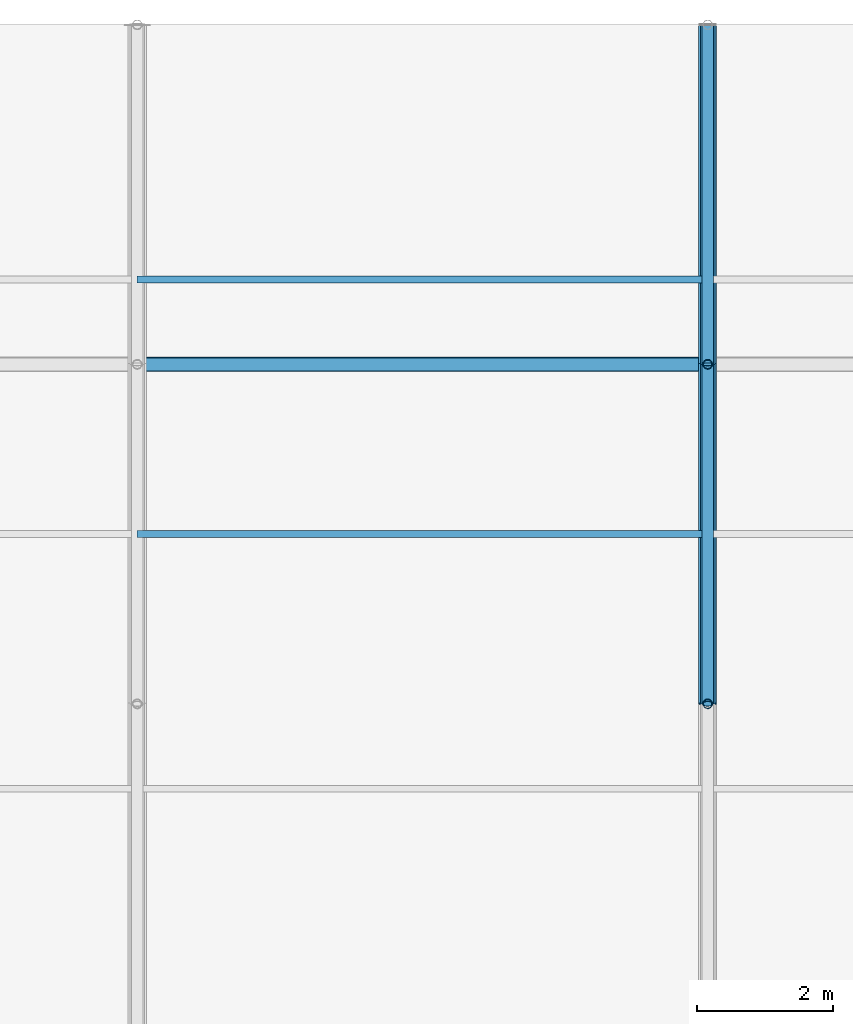
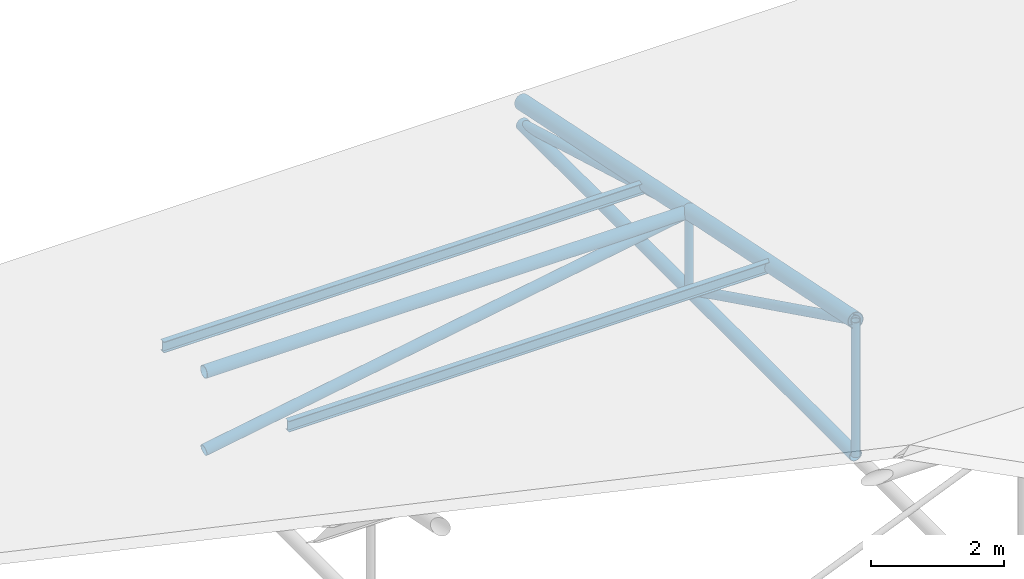
# One storey, part 17 of 194: 10 members, 2 beams.
"""IFC4 building model written with IfcOpenShell, lengths in metres."""

from ifc_helpers import new_model, si_unit, direction, frame, origin, origin_2d, place, context, subcontext, project, spatial, hollow_circle, i_section, extrude, material, material_profile, profile_set, type_object, element, save


model = new_model("IFC4")

# Units and contexts
model_context = context("Model", 3, precision=1e-05, world=origin(), true_north=direction((0.0, 1.0)))
body_context = subcontext(model_context, "Body", "Model", "MODEL_VIEW")
ifc_project = project(units=[si_unit("LENGTHUNIT", "METRE"), si_unit("AREAUNIT", "SQUARE_METRE"), si_unit("VOLUMEUNIT", "CUBIC_METRE"), si_unit("PLANEANGLEUNIT", "RADIAN"), si_unit("MASSUNIT", "GRAM", prefix="KILO")], contexts=[model_context])

# Site, building, storey
site_placement = place(None, origin())
site = spatial("IfcSite", under=ifc_project, at=site_placement, CompositionType="ELEMENT")
building_placement = place(site_placement, origin())
building = spatial("IfcBuilding", under=site, at=building_placement, Name="Kazenagashi Tramway Depot", CompositionType="ELEMENT")
storey_placement = place(building_placement, frame((0.0, 0.0, 23.7)))
storey = spatial("IfcBuildingStorey", under=building, at=storey_placement, Name="ROOF", CompositionType="ELEMENT", Elevation=23.7)

# Beams
ifc_material_1 = material(Name="Steel SN400B", Category="steel")
ifc_material_profile_1 = material_profile(ifc_material_1, i_section(OverallWidth=0.1, OverallDepth=0.2, WebThickness=0.0055, FlangeThickness=0.008, at=origin_2d()), Name="H-200x100x5.5x8")
ifc_profile_set_1 = profile_set([ifc_material_profile_1], Name="Steel SN400B")
beam_type = type_object("IfcBeamType", Name="PR-01", PredefinedType="USERDEFINED", material=ifc_profile_set_1)
for number, where, z_axis, x_axis, name in (
    (1, (53.2, 122.5, -12.13), (1.0, 0.0, 0.0), (0.0, 1.0, 0.0), "Beam PR-01 BM-2199"),
    (2, (53.2, 126.25, -12.955), (1.0, 0.0, 0.0), (0.0, 1.0, 0.0), "Beam PR-01 BM-2217"),
):
    element("IfcBeam", number, at=place(storey_placement, frame(where, z_axis=z_axis, x_axis=x_axis)), inside=storey, type_object=beam_type, Name=name, ObjectType="PURLIN", PredefinedType="USERDEFINED", context=body_context, shape_type="SweptSolid", body=[
        extrude(i_section(OverallWidth=0.1, OverallDepth=0.2, WebThickness=0.0055, FlangeThickness=0.008, at=origin_2d()), origin(), (0.0, 0.0, 1.0), 8.4),
    ])

# Members
ifc_material_2 = material(Name="Steel STK490", Category="steel")
ifc_material_profile_2 = material_profile(ifc_material_2, hollow_circle(Radius=0.1337, WallThickness=0.0093, at=origin_2d()), Name="CHS-267.4x9.3")
ifc_profile_set_2 = profile_set([ifc_material_profile_2], Name="Steel STK490")
member_type_1 = type_object("IfcMemberType", Name="TC-01", PredefinedType="CHORD", material=ifc_profile_set_2)
member_1_placement = place(storey_placement, frame((61.6, 120.0, -11.633), z_axis=(0.0, 0.979279174591, -0.202514933305), x_axis=(-1.0, 0.0, 0.0)))
element("IfcMember", 3, at=member_1_placement, inside=storey, type_object=member_type_1, Name="Tubular Space Frame TC-01 MEM-0166", PredefinedType="CHORD", context=body_context, shape_type="SweptSolid", body=[
    extrude(hollow_circle(Radius=0.1337, WallThickness=0.0093, at=origin_2d()), origin(), (0.0, 0.0, 1.0), 5.105796),
])
member_2_placement = place(storey_placement, frame((61.6, 125.0, -12.667), z_axis=(0.0, 0.979317999984, -0.202327098797), x_axis=(-1.0, 0.0, 0.0)))
element("IfcMember", 4, at=member_2_placement, inside=storey, type_object=member_type_1, Name="Tubular Space Frame TC-01 MEM-0169", PredefinedType="CHORD", context=body_context, shape_type="SweptSolid", body=[
    extrude(hollow_circle(Radius=0.1337, WallThickness=0.0093, at=origin_2d()), origin(), (0.0, 0.0, 1.0), 5.105594),
])
ifc_material_profile_3 = material_profile(ifc_material_2, hollow_circle(Radius=0.10815, WallThickness=0.0082, at=origin_2d()), Name="CHS-216.3x8.2")
ifc_profile_set_3 = profile_set([ifc_material_profile_3], Name="Steel STK490")
member_type_2 = type_object("IfcMemberType", Name="TC-02", PredefinedType="CHORD", material=ifc_profile_set_3)
member_3_placement = place(storey_placement, frame((53.2, 125.0, -12.667), z_axis=(1.0, 0.0, 0.0), x_axis=(0.0, 1.0, 0.0)))
element("IfcMember", 5, at=member_3_placement, inside=storey, type_object=member_type_2, Name="Tubular Space Frame TC-02 MEM-0121", PredefinedType="CHORD", context=body_context, shape_type="SweptSolid", body=[
    extrude(hollow_circle(Radius=0.10815, WallThickness=0.0082, at=origin_2d()), origin(), (0.0, 0.0, 1.0), 8.4),
])
for number, where, z_axis, x_axis, name in (
    (6, (61.6, 120.0, -14.1), (0.0, 1.0, 0.0), (-1.0, 0.0, 0.0), "Tubular Space Frame TC-02 MEM-0167"),
    (7, (61.6, 125.0, -14.1), (0.0, 1.0, 0.0), (-1.0, 0.0, 0.0), "Tubular Space Frame TC-02 MEM-0170"),
):
    element("IfcMember", number, at=place(storey_placement, frame(where, z_axis=z_axis, x_axis=x_axis)), inside=storey, type_object=member_type_2, Name=name, PredefinedType="CHORD", context=body_context, shape_type="SweptSolid", body=[
        extrude(hollow_circle(Radius=0.10815, WallThickness=0.0082, at=origin_2d()), origin(), (0.0, 0.0, 1.0), 5.0),
    ])
ifc_material_profile_4 = material_profile(ifc_material_2, hollow_circle(Radius=0.0826, WallThickness=0.0071, at=origin_2d()), Name="CHS-165.2x7.1")
ifc_profile_set_4 = profile_set([ifc_material_profile_4], Name="Steel STK490")
member_type_3 = type_object("IfcMemberType", Name="TS-01", PredefinedType="STRUT", material=ifc_profile_set_4)
member_4_placement = place(storey_placement, frame((61.6, 120.0, -11.633), z_axis=(0.0, 0.896782162482, -0.442472318969), x_axis=(-1.0, 0.0, 0.0)))
element("IfcMember", 8, at=member_4_placement, inside=storey, type_object=member_type_3, Name="Tubular Space Frame TS-01 MEM-0168", PredefinedType="STRUT", context=body_context, shape_type="SweptSolid", body=[
    extrude(hollow_circle(Radius=0.0826, WallThickness=0.0071, at=origin_2d()), origin(), (0.0, 0.0, 1.0), 5.57549),
])
member_5_placement = place(storey_placement, frame((61.6, 125.0, -12.667), z_axis=(0.0, 0.961298717795, -0.27550821252), x_axis=(-1.0, 0.0, 0.0)))
element("IfcMember", 9, at=member_5_placement, inside=storey, type_object=member_type_3, Name="Tubular Space Frame TS-01 MEM-0171", PredefinedType="STRUT", context=body_context, shape_type="SweptSolid", body=[
    extrude(hollow_circle(Radius=0.0826, WallThickness=0.0071, at=origin_2d()), origin(), (0.0, 0.0, 1.0), 5.201297),
])
ifc_material_profile_5 = material_profile(ifc_material_2, hollow_circle(Radius=0.0699, WallThickness=0.0066, at=origin_2d()), Name="CHS-139.8x6.6")
ifc_profile_set_5 = profile_set([ifc_material_profile_5], Name="Steel STK490")
member_type_4 = type_object("IfcMemberType", Name="TS-02", PredefinedType="STRUT", material=ifc_profile_set_5)
member_6_placement = place(storey_placement, frame((61.6, 120.0, -14.1), z_axis=(0.0, 0.0, 1.0), x_axis=(1.0, 0.0, 0.0)))
element("IfcMember", 10, at=member_6_placement, inside=storey, type_object=member_type_4, Name="Tubular Space Frame TS-02 MEM-0175", PredefinedType="STRUT", context=body_context, shape_type="SweptSolid", body=[
    extrude(hollow_circle(Radius=0.0699, WallThickness=0.0066, at=origin_2d()), origin(), (0.0, 0.0, 1.0), 2.467),
])
member_7_placement = place(storey_placement, frame((61.6, 125.0, -14.1), z_axis=(0.0, 0.0, 1.0), x_axis=(1.0, 0.0, 0.0)))
element("IfcMember", 11, at=member_7_placement, inside=storey, type_object=member_type_4, Name="Tubular Space Frame TS-02 MEM-0176", PredefinedType="STRUT", context=body_context, shape_type="SweptSolid", body=[
    extrude(hollow_circle(Radius=0.0699, WallThickness=0.0066, at=origin_2d()), origin(), (0.0, 0.0, 1.0), 1.433),
])
ifc_material_profile_6 = material_profile(ifc_material_2, hollow_circle(Radius=0.09535, WallThickness=0.007, at=origin_2d()), Name="CHS-190.7x7.0")
ifc_profile_set_6 = profile_set([ifc_material_profile_6], Name="Steel STK490")
member_type_5 = type_object("IfcMemberType", Name="TS-05", PredefinedType="STRUT", material=ifc_profile_set_6)
member_8_placement = place(storey_placement, frame((53.2, 125.0, -14.1), z_axis=(0.985758734117, 0.0, 0.168165745951), x_axis=(0.0, 1.0, 0.0)))
element("IfcMember", 12, at=member_8_placement, inside=storey, type_object=member_type_5, Name="Tubular Space Frame TS-05 MEM-0122", PredefinedType="STRUT", context=body_context, shape_type="SweptSolid", body=[
    extrude(hollow_circle(Radius=0.09535, WallThickness=0.007, at=origin_2d()), origin(), (0.0, 0.0, 1.0), 8.521355),
])

save(model, "model.ifc")
